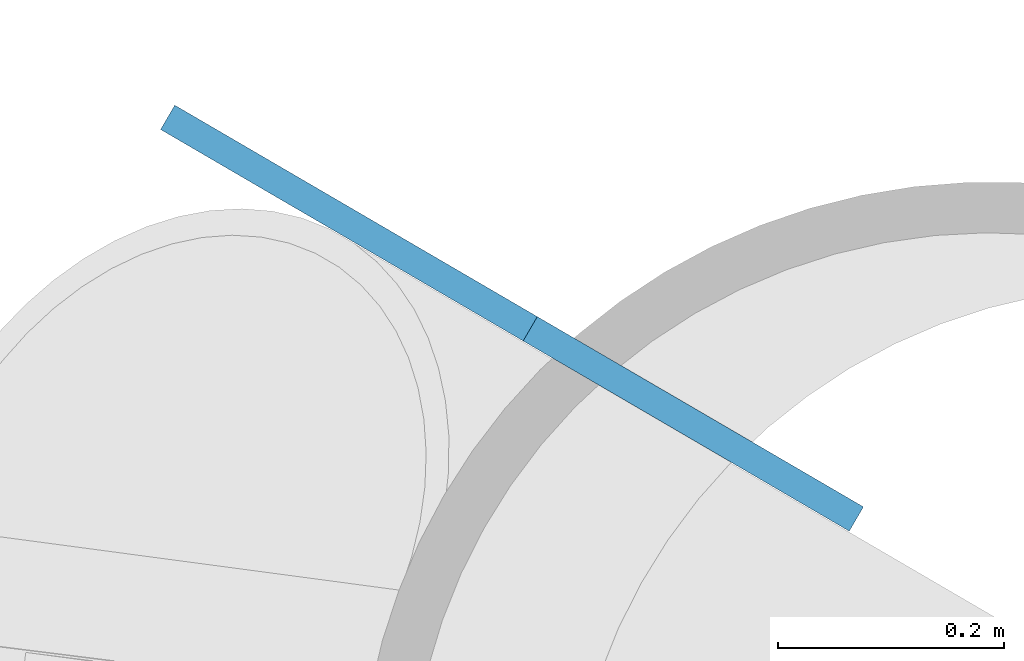
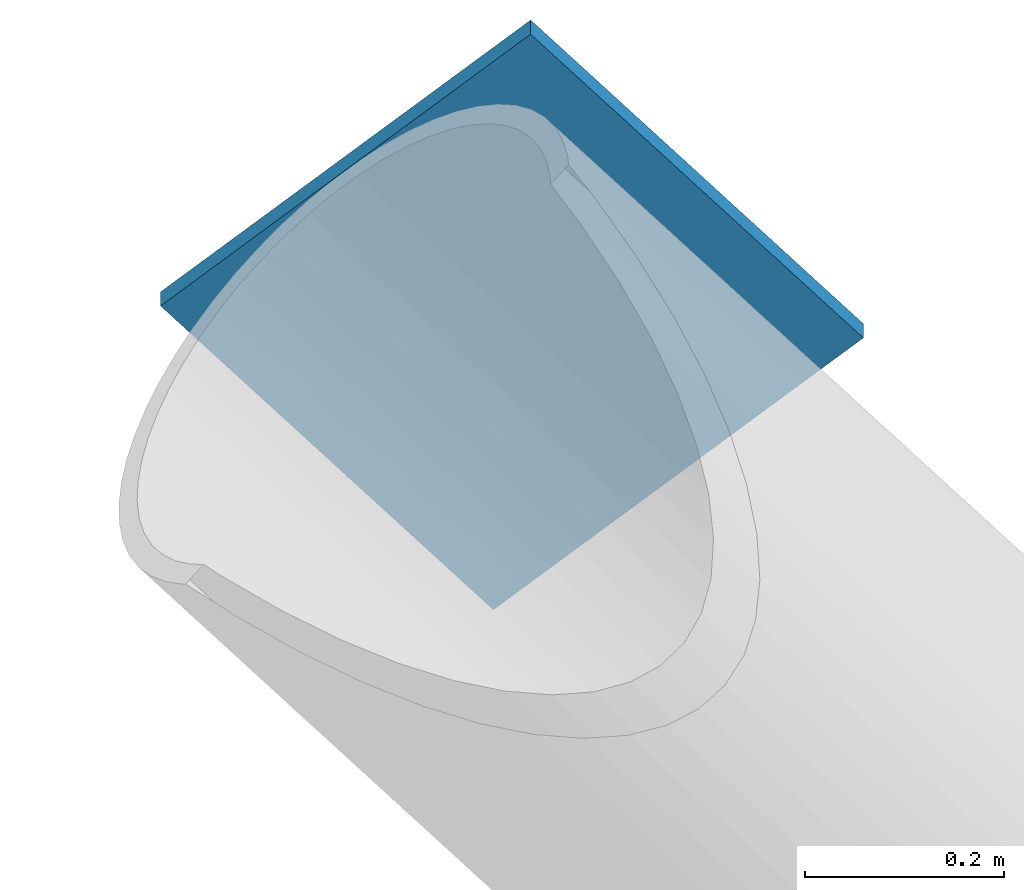
# One storey, part 12 of 23: 1 discrete accessory.
"""IFC4 building model written with IfcOpenShell, lengths in metres."""

from ifc_helpers import new_model, si_unit, direction, frame, origin, origin_2d, place, context, subcontext, project, spatial, rectangle, extrude, material, material_profile, profile_set, type_object, element, save


model = new_model("IFC4")

# Units and contexts
model_context = context("Model", 3, precision=1e-05, world=origin(), true_north=direction((0.0, 1.0)))
body_context = subcontext(model_context, "Body", "Model", "MODEL_VIEW")
ifc_project = project(units=[si_unit("LENGTHUNIT", "METRE"), si_unit("AREAUNIT", "SQUARE_METRE"), si_unit("VOLUMEUNIT", "CUBIC_METRE"), si_unit("PLANEANGLEUNIT", "RADIAN"), si_unit("MASSUNIT", "GRAM", prefix="KILO")], contexts=[model_context])

# Site, building, storey
site_placement = place(None, origin())
site = spatial("IfcSite", under=ifc_project, at=site_placement, CompositionType="ELEMENT")
building_placement = place(site_placement, origin())
building = spatial("IfcBuilding", under=site, at=building_placement, Name="Tarsis Ring Headquarters", CompositionType="ELEMENT")
storey_placement = place(building_placement, frame((0.0, 0.0, 155.39990234375)))
storey = spatial("IfcBuildingStorey", under=building, at=storey_placement, Name="L35", CompositionType="ELEMENT", Elevation=155.39990234375)

# Discrete accessory
ifc_material = material(Name="Structural steel S355", Category="steel")
ifc_material_profile = material_profile(ifc_material, rectangle(XDim=0.02490234375, YDim=0.5, at=origin_2d()), Name="PL 25x500")
ifc_profile_set = profile_set([ifc_material_profile], Name="Structural steel S355")
discrete_accessory_type = type_object("IfcDiscreteAccessoryType", Name="Gusset plate Exo brace 25", PredefinedType="BRACKET", material=ifc_profile_set)
discrete_accessory_placement = place(storey_placement, frame((9.124267578125, 27.90478515625, 7.800048828125), z_axis=(0.577790405972, -0.337003702553, -0.743361790269), x_axis=(0.503825624907, 0.863805382993, 0.0)))
element("IfcDiscreteAccessory", 1, at=discrete_accessory_placement, inside=storey, type_object=discrete_accessory_type, Name="Gusset plate GP5", PredefinedType="BRACKET", context=body_context, shape_type="SweptSolid", body=[
    extrude(rectangle(XDim=0.02490234375, YDim=0.5, at=origin_2d()), origin(), (0.0, 0.0, 1.0), 0.499755859375),
])

save(model, "model.ifc")
